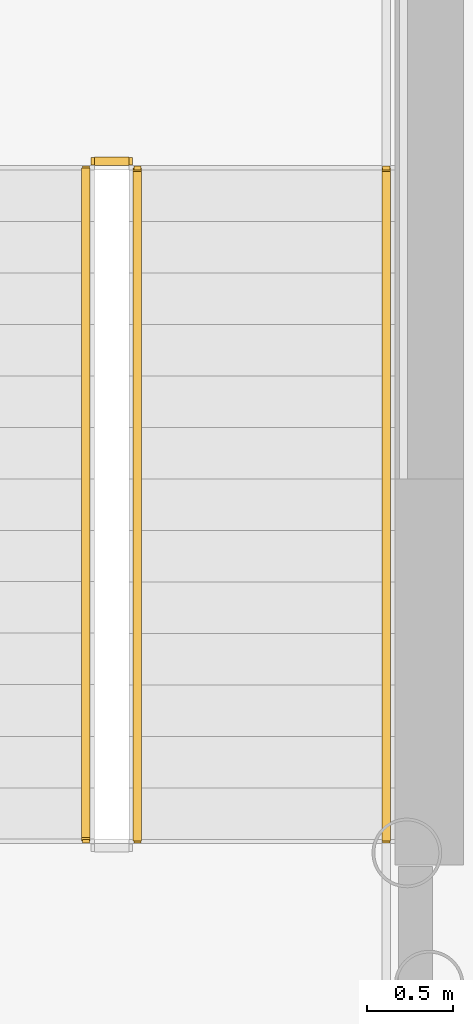
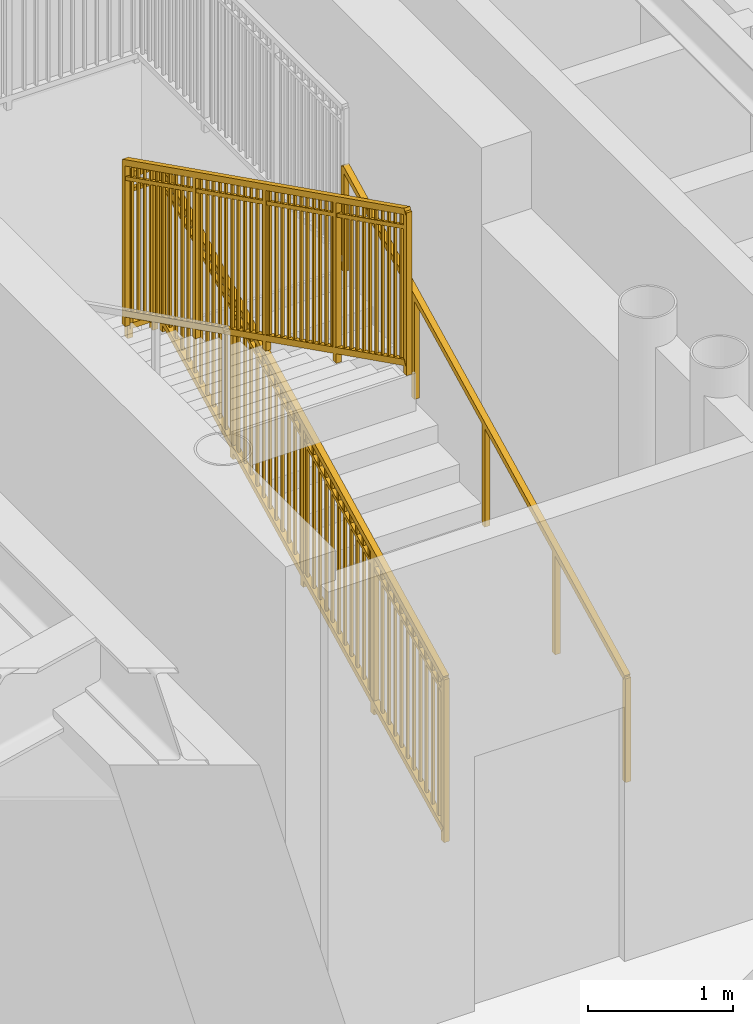
# One storey, part 19 of 24: 4 railings.
"""IFC4 building model written with IfcOpenShell, lengths in metres."""

from ifc_helpers import new_model, si_unit, direction, frame, origin, origin_2d, place, context, subcontext, project, spatial, rectangle, extrude, source, transform, mapped, material, type_object, element, save


model = new_model("IFC4")

# Units and contexts
model_context = context("Model", 3, precision=1e-05, world=origin(), true_north=direction((0.0, 1.0)))
body_context = subcontext(model_context, "Body", "Model", "MODEL_VIEW")
ifc_project = project(units=[si_unit("LENGTHUNIT", "METRE"), si_unit("AREAUNIT", "SQUARE_METRE"), si_unit("VOLUMEUNIT", "CUBIC_METRE"), si_unit("PLANEANGLEUNIT", "RADIAN"), si_unit("MASSUNIT", "GRAM", prefix="KILO")], contexts=[model_context])

# Site, building, storey
site_placement = place(None, origin())
site = spatial("IfcSite", under=ifc_project, at=site_placement, CompositionType="ELEMENT")
building_placement = place(site_placement, origin())
building = spatial("IfcBuilding", under=site, at=building_placement, Name="Linh Dai School and Residence Tower", CompositionType="ELEMENT")
storey_placement = place(building_placement, frame((0.0, 0.0, 74.39990234375)))
storey = spatial("IfcBuildingStorey", under=building, at=storey_placement, Name="L17", CompositionType="ELEMENT", Elevation=74.39990234375)

# Railings
ifc_material_1 = material(Name="Structural Steel S355JR", Category="steel")
railing_type_1 = type_object("IfcRailingType", Name="RL-ST-GUARD-1400", PredefinedType="GUARDRAIL", material=ifc_material_1)
shared_shape_1 = source(origin(), body_context, "Body", "SweptSolid", [
    extrude(rectangle(XDim=0.048095703125, YDim=0.048095703125, at=origin_2d()), frame((0.0, 0.0, 1.3759765625), z_axis=(-1.0, 0.0, 0.0), x_axis=(0.0, -1.0, 0.0)), (0.0, 0.0, 1.0), 0.199951171875),
    extrude(rectangle(XDim=0.048095703125, YDim=0.048095703125, at=origin_2d()), frame((0.0, 0.0, 0.10009765625), z_axis=(-1.0, 0.0, 0.0), x_axis=(0.0, -1.0, 0.0)), (0.0, 0.0, 1.0), 0.199951171875),
    extrude(rectangle(XDim=0.030029296875, YDim=0.030029296875, at=origin_2d()), frame((0.0, 0.0, 1.239990234375), z_axis=(-1.0, 0.0, 0.0), x_axis=(0.0, -1.0, 0.0)), (0.0, 0.0, 1.0), 0.199951171875),
    extrude(rectangle(XDim=0.0419921875, YDim=0.0419921875, at=origin_2d()), origin(), (0.0, 0.0, 1.0), 1.3759765625),
    extrude(rectangle(XDim=0.0419921875, YDim=0.0419921875, at=origin_2d()), frame((-0.199951171875, 0.0, 0.0)), (0.0, 0.0, 1.0), 1.3759765625),
])
railing_1_placement = place(storey_placement, frame((29.429931640625, 29.64990234375, 2.10009765625)))
element("IfcRailing", 1, at=railing_1_placement, inside=storey, type_object=railing_type_1, Name="L17 ST1 stair guard 2", PredefinedType="GUARDRAIL", context=body_context, shape_type="MappedRepresentation", body=[
    mapped(shared_shape_1, transform((0.0, 0.0, 0.0), x_axis=(1.0, 0.0, 0.0), y_axis=(0.0, 1.0, 0.0), z_axis=(0.0, 0.0, 1.0), scale=1.0)),
])
shared_shape_2 = source(origin(), body_context, "Body", "SweptSolid", [
    extrude(rectangle(XDim=0.048095703125, YDim=0.048095703125, at=origin_2d()), frame((0.0, 0.0, 1.3759765625), z_axis=(0.0, 0.894438388696, 0.447191199406), x_axis=(-1.0, 0.0, 0.0)), (0.0, 0.0, 1.0), 4.3603515625),
    extrude(rectangle(XDim=0.048095703125, YDim=0.048095703125, at=origin_2d()), frame((0.0, 0.0, 0.10009765625), z_axis=(0.0, 0.894438388696, 0.447191199406), x_axis=(-1.0, 0.0, 0.0)), (0.0, 0.0, 1.0), 4.3603515625),
    extrude(rectangle(XDim=0.030029296875, YDim=0.030029296875, at=origin_2d()), frame((0.0, 0.0, 1.239990234375), z_axis=(0.0, 0.894438388696, 0.447191199406), x_axis=(-1.0, 0.0, 0.0)), (0.0, 0.0, 1.0), 4.3603515625),
    extrude(rectangle(XDim=0.02001953125, YDim=0.02001953125, at=origin_2d()), frame((0.0, 0.086669921875, 0.143310546875)), (0.0, 0.0, 1.0), 1.251708984375),
    extrude(rectangle(XDim=0.02001953125, YDim=0.02001953125, at=origin_2d()), frame((0.0, 0.17333984375, 0.186767578125)), (0.0, 0.0, 1.0), 1.251708984375),
    extrude(rectangle(XDim=0.02001953125, YDim=0.02001953125, at=origin_2d()), frame((0.0, 0.260009765625, 0.22998046875)), (0.0, 0.0, 1.0), 1.251708984375),
    extrude(rectangle(XDim=0.02001953125, YDim=0.02001953125, at=origin_2d()), frame((0.0, 0.3466796875, 0.2734375)), (0.0, 0.0, 1.0), 1.251708984375),
    extrude(rectangle(XDim=0.02001953125, YDim=0.02001953125, at=origin_2d()), frame((0.0, 0.433349609375, 0.316650390625)), (0.0, 0.0, 1.0), 1.251708984375),
    extrude(rectangle(XDim=0.02001953125, YDim=0.02001953125, at=origin_2d()), frame((0.0, 0.52001953125, 0.360107421875)), (0.0, 0.0, 1.0), 1.251708984375),
    extrude(rectangle(XDim=0.02001953125, YDim=0.02001953125, at=origin_2d()), frame((0.0, 0.606689453125, 0.4033203125)), (0.0, 0.0, 1.0), 1.251708984375),
    extrude(rectangle(XDim=0.02001953125, YDim=0.02001953125, at=origin_2d()), frame((0.0, 0.693359375, 0.44677734375)), (0.0, 0.0, 1.0), 1.251708984375),
    extrude(rectangle(XDim=0.02001953125, YDim=0.02001953125, at=origin_2d()), frame((0.0, 0.780029296875, 0.489990234375)), (0.0, 0.0, 1.0), 1.251708984375),
    extrude(rectangle(XDim=0.02001953125, YDim=0.02001953125, at=origin_2d()), frame((0.0, 0.86669921875, 0.533447265625)), (0.0, 0.0, 1.0), 1.251708984375),
    extrude(rectangle(XDim=0.02001953125, YDim=0.02001953125, at=origin_2d()), frame((0.0, 1.0400390625, 0.6201171875)), (0.0, 0.0, 1.0), 1.251708984375),
    extrude(rectangle(XDim=0.02001953125, YDim=0.02001953125, at=origin_2d()), frame((0.0, 1.126708984375, 0.663330078125)), (0.0, 0.0, 1.0), 1.251708984375),
    extrude(rectangle(XDim=0.02001953125, YDim=0.02001953125, at=origin_2d()), frame((0.0, 1.21337890625, 0.706787109375)), (0.0, 0.0, 1.0), 1.251708984375),
    extrude(rectangle(XDim=0.02001953125, YDim=0.02001953125, at=origin_2d()), frame((0.0, 1.300048828125, 0.75)), (0.0, 0.0, 1.0), 1.251708984375),
    extrude(rectangle(XDim=0.02001953125, YDim=0.02001953125, at=origin_2d()), frame((0.0, 1.38671875, 0.79345703125)), (0.0, 0.0, 1.0), 1.251708984375),
    extrude(rectangle(XDim=0.02001953125, YDim=0.02001953125, at=origin_2d()), frame((0.0, 1.473388671875, 0.836669921875)), (0.0, 0.0, 1.0), 1.251708984375),
    extrude(rectangle(XDim=0.02001953125, YDim=0.02001953125, at=origin_2d()), frame((0.0, 1.56005859375, 0.880126953125)), (0.0, 0.0, 1.0), 1.251708984375),
    extrude(rectangle(XDim=0.02001953125, YDim=0.02001953125, at=origin_2d()), frame((0.0, 1.646728515625, 0.92333984375)), (0.0, 0.0, 1.0), 1.251708984375),
    extrude(rectangle(XDim=0.02001953125, YDim=0.02001953125, at=origin_2d()), frame((0.0, 1.7333984375, 0.966796875)), (0.0, 0.0, 1.0), 1.251708984375),
    extrude(rectangle(XDim=0.02001953125, YDim=0.02001953125, at=origin_2d()), frame((0.0, 1.820068359375, 1.010009765625)), (0.0, 0.0, 1.0), 1.251708984375),
    extrude(rectangle(XDim=0.02001953125, YDim=0.02001953125, at=origin_2d()), frame((0.0, 1.90673828125, 1.053466796875)), (0.0, 0.0, 1.0), 1.251708984375),
    extrude(rectangle(XDim=0.02001953125, YDim=0.02001953125, at=origin_2d()), frame((0.0, 1.993408203125, 1.0966796875)), (0.0, 0.0, 1.0), 1.251708984375),
    extrude(rectangle(XDim=0.02001953125, YDim=0.02001953125, at=origin_2d()), frame((0.0, 2.080078125, 1.14013671875)), (0.0, 0.0, 1.0), 1.251708984375),
    extrude(rectangle(XDim=0.02001953125, YDim=0.02001953125, at=origin_2d()), frame((0.0, 2.166748046875, 1.183349609375)), (0.0, 0.0, 1.0), 1.251708984375),
    extrude(rectangle(XDim=0.02001953125, YDim=0.02001953125, at=origin_2d()), frame((0.0, 2.25341796875, 1.226806640625)), (0.0, 0.0, 1.0), 1.251708984375),
    extrude(rectangle(XDim=0.02001953125, YDim=0.02001953125, at=origin_2d()), frame((0.0, 2.340087890625, 1.27001953125)), (0.0, 0.0, 1.0), 1.251708984375),
    extrude(rectangle(XDim=0.02001953125, YDim=0.02001953125, at=origin_2d()), frame((0.0, 2.4267578125, 1.3134765625)), (0.0, 0.0, 1.0), 1.251708984375),
    extrude(rectangle(XDim=0.02001953125, YDim=0.02001953125, at=origin_2d()), frame((0.0, 2.513427734375, 1.356689453125)), (0.0, 0.0, 1.0), 1.251708984375),
    extrude(rectangle(XDim=0.02001953125, YDim=0.02001953125, at=origin_2d()), frame((0.0, 2.60009765625, 1.400146484375)), (0.0, 0.0, 1.0), 1.251708984375),
    extrude(rectangle(XDim=0.02001953125, YDim=0.02001953125, at=origin_2d()), frame((0.0, 2.686767578125, 1.443359375)), (0.0, 0.0, 1.0), 1.251708984375),
    extrude(rectangle(XDim=0.02001953125, YDim=0.02001953125, at=origin_2d()), frame((0.0, 2.7734375, 1.48681640625)), (0.0, 0.0, 1.0), 1.251708984375),
    extrude(rectangle(XDim=0.02001953125, YDim=0.02001953125, at=origin_2d()), frame((0.0, 2.860107421875, 1.530029296875)), (0.0, 0.0, 1.0), 1.251708984375),
    extrude(rectangle(XDim=0.02001953125, YDim=0.02001953125, at=origin_2d()), frame((0.0, 3.033447265625, 1.61669921875)), (0.0, 0.0, 1.0), 1.251708984375),
    extrude(rectangle(XDim=0.02001953125, YDim=0.02001953125, at=origin_2d()), frame((0.0, 3.1201171875, 1.66015625)), (0.0, 0.0, 1.0), 1.251708984375),
    extrude(rectangle(XDim=0.02001953125, YDim=0.02001953125, at=origin_2d()), frame((0.0, 3.206787109375, 1.703369140625)), (0.0, 0.0, 1.0), 1.251708984375),
    extrude(rectangle(XDim=0.02001953125, YDim=0.02001953125, at=origin_2d()), frame((0.0, 3.29345703125, 1.746826171875)), (0.0, 0.0, 1.0), 1.251708984375),
    extrude(rectangle(XDim=0.02001953125, YDim=0.02001953125, at=origin_2d()), frame((0.0, 3.380126953125, 1.7900390625)), (0.0, 0.0, 1.0), 1.251708984375),
    extrude(rectangle(XDim=0.02001953125, YDim=0.02001953125, at=origin_2d()), frame((0.0, 3.466796875, 1.83349609375)), (0.0, 0.0, 1.0), 1.251708984375),
    extrude(rectangle(XDim=0.02001953125, YDim=0.02001953125, at=origin_2d()), frame((0.0, 3.553466796875, 1.876708984375)), (0.0, 0.0, 1.0), 1.251708984375),
    extrude(rectangle(XDim=0.02001953125, YDim=0.02001953125, at=origin_2d()), frame((0.0, 3.64013671875, 1.920166015625)), (0.0, 0.0, 1.0), 1.251708984375),
    extrude(rectangle(XDim=0.02001953125, YDim=0.02001953125, at=origin_2d()), frame((0.0, 3.726806640625, 1.96337890625)), (0.0, 0.0, 1.0), 1.251708984375),
    extrude(rectangle(XDim=0.02001953125, YDim=0.02001953125, at=origin_2d()), frame((0.0, 3.8134765625, 2.0068359375)), (0.0, 0.0, 1.0), 1.251708984375),
    extrude(rectangle(XDim=0.0419921875, YDim=0.0419921875, at=origin_2d()), origin(), (0.0, 0.0, 1.0), 1.3759765625),
    extrude(rectangle(XDim=0.0419921875, YDim=0.0419921875, at=origin_2d()), frame((0.0, 0.97509765625, 0.487548828125)), (0.0, 0.0, 1.0), 1.3759765625),
    extrude(rectangle(XDim=0.0419921875, YDim=0.0419921875, at=origin_2d()), frame((0.0, 1.9501953125, 0.97509765625)), (0.0, 0.0, 1.0), 1.3759765625),
    extrude(rectangle(XDim=0.0419921875, YDim=0.0419921875, at=origin_2d()), frame((0.0, 2.925048828125, 1.46240234375)), (0.0, 0.0, 1.0), 1.3759765625),
    extrude(rectangle(XDim=0.0419921875, YDim=0.0419921875, at=origin_2d()), frame((0.0, 3.900146484375, 1.949951171875)), (0.0, 0.0, 1.0), 1.3759765625),
])
railing_2_placement = place(storey_placement, frame((29.47998046875, 25.699951171875, 0.150146484375)))
element("IfcRailing", 2, at=railing_2_placement, inside=storey, type_object=railing_type_1, Name="L17 ST1 stair guard 1", PredefinedType="GUARDRAIL", context=body_context, shape_type="MappedRepresentation", body=[
    mapped(shared_shape_2, transform((0.0, 0.0, 0.0), x_axis=(1.0, 0.0, 0.0), y_axis=(0.0, 1.0, 0.0), z_axis=(0.0, 0.0, 1.0), scale=1.0)),
])
ifc_material_2 = material(Name="Brushed Stainless Steel Handrail", Category="steel")
railing_type_2 = type_object("IfcRailingType", Name="RL-ST-HANDRAIL-900", PredefinedType="HANDRAIL", material=ifc_material_2)
shared_shape_3 = source(origin(), body_context, "Body", "SweptSolid", [
    extrude(rectangle(XDim=0.048095703125, YDim=0.048095703125, at=origin_2d()), frame((0.0, 0.0, 0.8759765625), z_axis=(0.0, 0.894438388696, 0.447191199406), x_axis=(-1.0, 0.0, 0.0)), (0.0, 0.0, 1.0), 4.3603515625),
    extrude(rectangle(XDim=0.0419921875, YDim=0.0419921875, at=origin_2d()), origin(), (0.0, 0.0, 1.0), 0.8759765625),
    extrude(rectangle(XDim=0.0419921875, YDim=0.0419921875, at=origin_2d()), frame((0.0, 0.97509765625, 0.487548828125)), (0.0, 0.0, 1.0), 0.8759765625),
    extrude(rectangle(XDim=0.0419921875, YDim=0.0419921875, at=origin_2d()), frame((0.0, 1.9501953125, 0.97509765625)), (0.0, 0.0, 1.0), 0.8759765625),
    extrude(rectangle(XDim=0.0419921875, YDim=0.0419921875, at=origin_2d()), frame((0.0, 2.925048828125, 1.46240234375)), (0.0, 0.0, 1.0), 0.8759765625),
    extrude(rectangle(XDim=0.0419921875, YDim=0.0419921875, at=origin_2d()), frame((0.0, 3.900146484375, 1.949951171875)), (0.0, 0.0, 1.0), 0.8759765625),
])
railing_3_placement = place(storey_placement, frame((30.929931640625, 25.699951171875, 0.150146484375)))
element("IfcRailing", 3, at=railing_3_placement, inside=storey, type_object=railing_type_2, Name="L17 ST1 stair handrail 1", PredefinedType="HANDRAIL", context=body_context, shape_type="MappedRepresentation", body=[
    mapped(shared_shape_3, transform((0.0, 0.0, 0.0), x_axis=(1.0, 0.0, 0.0), y_axis=(0.0, 1.0, 0.0), z_axis=(0.0, 0.0, 1.0), scale=1.0)),
])
shared_shape_4 = source(origin(), body_context, "Body", "SweptSolid", [
    extrude(rectangle(XDim=0.048095703125, YDim=0.048095703125, at=origin_2d()), frame((0.0, 0.0, 1.3759765625), z_axis=(0.0, -0.894415993023, 0.447235990752), x_axis=(1.0, 0.0, 0.0)), (0.0, 0.0, 1.0), 4.360595703125),
    extrude(rectangle(XDim=0.048095703125, YDim=0.048095703125, at=origin_2d()), frame((0.0, 0.0, 0.10009765625), z_axis=(0.0, -0.894415993023, 0.447235990752), x_axis=(1.0, 0.0, 0.0)), (0.0, 0.0, 1.0), 4.360595703125),
    extrude(rectangle(XDim=0.030029296875, YDim=0.030029296875, at=origin_2d()), frame((0.0, 0.0, 1.239990234375), z_axis=(0.0, -0.894415993023, 0.447235990752), x_axis=(1.0, 0.0, 0.0)), (0.0, 0.0, 1.0), 4.360595703125),
    extrude(rectangle(XDim=0.02001953125, YDim=0.02001953125, at=origin_2d()), frame((0.0, -0.086669921875, 0.1435546875)), (0.0, 0.0, 1.0), 1.251708984375),
    extrude(rectangle(XDim=0.02001953125, YDim=0.02001953125, at=origin_2d()), frame((0.0, -0.17333984375, 0.186767578125)), (0.0, 0.0, 1.0), 1.251708984375),
    extrude(rectangle(XDim=0.02001953125, YDim=0.02001953125, at=origin_2d()), frame((0.0, -0.260009765625, 0.230224609375)), (0.0, 0.0, 1.0), 1.251708984375),
    extrude(rectangle(XDim=0.02001953125, YDim=0.02001953125, at=origin_2d()), frame((0.0, -0.3466796875, 0.2734375)), (0.0, 0.0, 1.0), 1.251708984375),
    extrude(rectangle(XDim=0.02001953125, YDim=0.02001953125, at=origin_2d()), frame((0.0, -0.433349609375, 0.31689453125)), (0.0, 0.0, 1.0), 1.251708984375),
    extrude(rectangle(XDim=0.02001953125, YDim=0.02001953125, at=origin_2d()), frame((0.0, -0.52001953125, 0.360107421875)), (0.0, 0.0, 1.0), 1.251708984375),
    extrude(rectangle(XDim=0.02001953125, YDim=0.02001953125, at=origin_2d()), frame((0.0, -0.606689453125, 0.403564453125)), (0.0, 0.0, 1.0), 1.251708984375),
    extrude(rectangle(XDim=0.02001953125, YDim=0.02001953125, at=origin_2d()), frame((0.0, -0.693359375, 0.44677734375)), (0.0, 0.0, 1.0), 1.251708984375),
    extrude(rectangle(XDim=0.02001953125, YDim=0.02001953125, at=origin_2d()), frame((0.0, -0.780029296875, 0.490234375)), (0.0, 0.0, 1.0), 1.251708984375),
    extrude(rectangle(XDim=0.02001953125, YDim=0.02001953125, at=origin_2d()), frame((0.0, -0.86669921875, 0.533447265625)), (0.0, 0.0, 1.0), 1.251708984375),
    extrude(rectangle(XDim=0.02001953125, YDim=0.02001953125, at=origin_2d()), frame((0.0, -1.0400390625, 0.6201171875)), (0.0, 0.0, 1.0), 1.251708984375),
    extrude(rectangle(XDim=0.02001953125, YDim=0.02001953125, at=origin_2d()), frame((0.0, -1.126708984375, 0.66357421875)), (0.0, 0.0, 1.0), 1.251708984375),
    extrude(rectangle(XDim=0.02001953125, YDim=0.02001953125, at=origin_2d()), frame((0.0, -1.21337890625, 0.706787109375)), (0.0, 0.0, 1.0), 1.251708984375),
    extrude(rectangle(XDim=0.02001953125, YDim=0.02001953125, at=origin_2d()), frame((0.0, -1.300048828125, 0.750244140625)), (0.0, 0.0, 1.0), 1.251708984375),
    extrude(rectangle(XDim=0.02001953125, YDim=0.02001953125, at=origin_2d()), frame((0.0, -1.38671875, 0.79345703125)), (0.0, 0.0, 1.0), 1.251708984375),
    extrude(rectangle(XDim=0.02001953125, YDim=0.02001953125, at=origin_2d()), frame((0.0, -1.473388671875, 0.8369140625)), (0.0, 0.0, 1.0), 1.251708984375),
    extrude(rectangle(XDim=0.02001953125, YDim=0.02001953125, at=origin_2d()), frame((0.0, -1.56005859375, 0.880126953125)), (0.0, 0.0, 1.0), 1.251708984375),
    extrude(rectangle(XDim=0.02001953125, YDim=0.02001953125, at=origin_2d()), frame((0.0, -1.646728515625, 0.923583984375)), (0.0, 0.0, 1.0), 1.251708984375),
    extrude(rectangle(XDim=0.02001953125, YDim=0.02001953125, at=origin_2d()), frame((0.0, -1.7333984375, 0.966796875)), (0.0, 0.0, 1.0), 1.251708984375),
    extrude(rectangle(XDim=0.02001953125, YDim=0.02001953125, at=origin_2d()), frame((0.0, -1.820068359375, 1.01025390625)), (0.0, 0.0, 1.0), 1.251708984375),
    extrude(rectangle(XDim=0.02001953125, YDim=0.02001953125, at=origin_2d()), frame((0.0, -1.90673828125, 1.053466796875)), (0.0, 0.0, 1.0), 1.251708984375),
    extrude(rectangle(XDim=0.02001953125, YDim=0.02001953125, at=origin_2d()), frame((0.0, -1.993408203125, 1.096923828125)), (0.0, 0.0, 1.0), 1.251708984375),
    extrude(rectangle(XDim=0.02001953125, YDim=0.02001953125, at=origin_2d()), frame((0.0, -2.080078125, 1.14013671875)), (0.0, 0.0, 1.0), 1.251708984375),
    extrude(rectangle(XDim=0.02001953125, YDim=0.02001953125, at=origin_2d()), frame((0.0, -2.166748046875, 1.18359375)), (0.0, 0.0, 1.0), 1.251708984375),
    extrude(rectangle(XDim=0.02001953125, YDim=0.02001953125, at=origin_2d()), frame((0.0, -2.25341796875, 1.226806640625)), (0.0, 0.0, 1.0), 1.251708984375),
    extrude(rectangle(XDim=0.02001953125, YDim=0.02001953125, at=origin_2d()), frame((0.0, -2.340087890625, 1.270263671875)), (0.0, 0.0, 1.0), 1.251708984375),
    extrude(rectangle(XDim=0.02001953125, YDim=0.02001953125, at=origin_2d()), frame((0.0, -2.4267578125, 1.3134765625)), (0.0, 0.0, 1.0), 1.251708984375),
    extrude(rectangle(XDim=0.02001953125, YDim=0.02001953125, at=origin_2d()), frame((0.0, -2.513427734375, 1.35693359375)), (0.0, 0.0, 1.0), 1.251708984375),
    extrude(rectangle(XDim=0.02001953125, YDim=0.02001953125, at=origin_2d()), frame((0.0, -2.60009765625, 1.400146484375)), (0.0, 0.0, 1.0), 1.251708984375),
    extrude(rectangle(XDim=0.02001953125, YDim=0.02001953125, at=origin_2d()), frame((0.0, -2.686767578125, 1.443603515625)), (0.0, 0.0, 1.0), 1.251708984375),
    extrude(rectangle(XDim=0.02001953125, YDim=0.02001953125, at=origin_2d()), frame((0.0, -2.7734375, 1.48681640625)), (0.0, 0.0, 1.0), 1.251708984375),
    extrude(rectangle(XDim=0.02001953125, YDim=0.02001953125, at=origin_2d()), frame((0.0, -2.860107421875, 1.5302734375)), (0.0, 0.0, 1.0), 1.251708984375),
    extrude(rectangle(XDim=0.02001953125, YDim=0.02001953125, at=origin_2d()), frame((0.0, -3.033447265625, 1.616943359375)), (0.0, 0.0, 1.0), 1.251708984375),
    extrude(rectangle(XDim=0.02001953125, YDim=0.02001953125, at=origin_2d()), frame((0.0, -3.1201171875, 1.66015625)), (0.0, 0.0, 1.0), 1.251708984375),
    extrude(rectangle(XDim=0.02001953125, YDim=0.02001953125, at=origin_2d()), frame((0.0, -3.206787109375, 1.70361328125)), (0.0, 0.0, 1.0), 1.251708984375),
    extrude(rectangle(XDim=0.02001953125, YDim=0.02001953125, at=origin_2d()), frame((0.0, -3.29345703125, 1.746826171875)), (0.0, 0.0, 1.0), 1.251708984375),
    extrude(rectangle(XDim=0.02001953125, YDim=0.02001953125, at=origin_2d()), frame((0.0, -3.380126953125, 1.790283203125)), (0.0, 0.0, 1.0), 1.251708984375),
    extrude(rectangle(XDim=0.02001953125, YDim=0.02001953125, at=origin_2d()), frame((0.0, -3.466796875, 1.83349609375)), (0.0, 0.0, 1.0), 1.251708984375),
    extrude(rectangle(XDim=0.02001953125, YDim=0.02001953125, at=origin_2d()), frame((0.0, -3.553466796875, 1.876953125)), (0.0, 0.0, 1.0), 1.251708984375),
    extrude(rectangle(XDim=0.02001953125, YDim=0.02001953125, at=origin_2d()), frame((0.0, -3.64013671875, 1.920166015625)), (0.0, 0.0, 1.0), 1.251708984375),
    extrude(rectangle(XDim=0.02001953125, YDim=0.02001953125, at=origin_2d()), frame((0.0, -3.726806640625, 1.963623046875)), (0.0, 0.0, 1.0), 1.251708984375),
    extrude(rectangle(XDim=0.02001953125, YDim=0.02001953125, at=origin_2d()), frame((0.0, -3.8134765625, 2.0068359375)), (0.0, 0.0, 1.0), 1.251708984375),
    extrude(rectangle(XDim=0.0419921875, YDim=0.0419921875, at=origin_2d()), origin(), (0.0, 0.0, 1.0), 1.3759765625),
    extrude(rectangle(XDim=0.0419921875, YDim=0.0419921875, at=origin_2d()), frame((0.0, -0.97509765625, 0.487548828125)), (0.0, 0.0, 1.0), 1.3759765625),
    extrude(rectangle(XDim=0.0419921875, YDim=0.0419921875, at=origin_2d()), frame((0.0, -1.9501953125, 0.97509765625)), (0.0, 0.0, 1.0), 1.3759765625),
    extrude(rectangle(XDim=0.0419921875, YDim=0.0419921875, at=origin_2d()), frame((0.0, -2.925048828125, 1.462646484375)), (0.0, 0.0, 1.0), 1.3759765625),
    extrude(rectangle(XDim=0.0419921875, YDim=0.0419921875, at=origin_2d()), frame((0.0, -3.900146484375, 1.9501953125)), (0.0, 0.0, 1.0), 1.3759765625),
])
railing_4_placement = place(storey_placement, frame((29.179931640625, 29.60009765625, 2.25)))
element("IfcRailing", 4, at=railing_4_placement, inside=storey, type_object=railing_type_1, Name="L17 ST1 stair guard 6", PredefinedType="GUARDRAIL", context=body_context, shape_type="MappedRepresentation", body=[
    mapped(shared_shape_4, transform((0.0, 0.0, 0.0), x_axis=(1.0, 0.0, 0.0), y_axis=(0.0, 1.0, 0.0), z_axis=(0.0, 0.0, 1.0), scale=1.0)),
])

save(model, "model.ifc")
